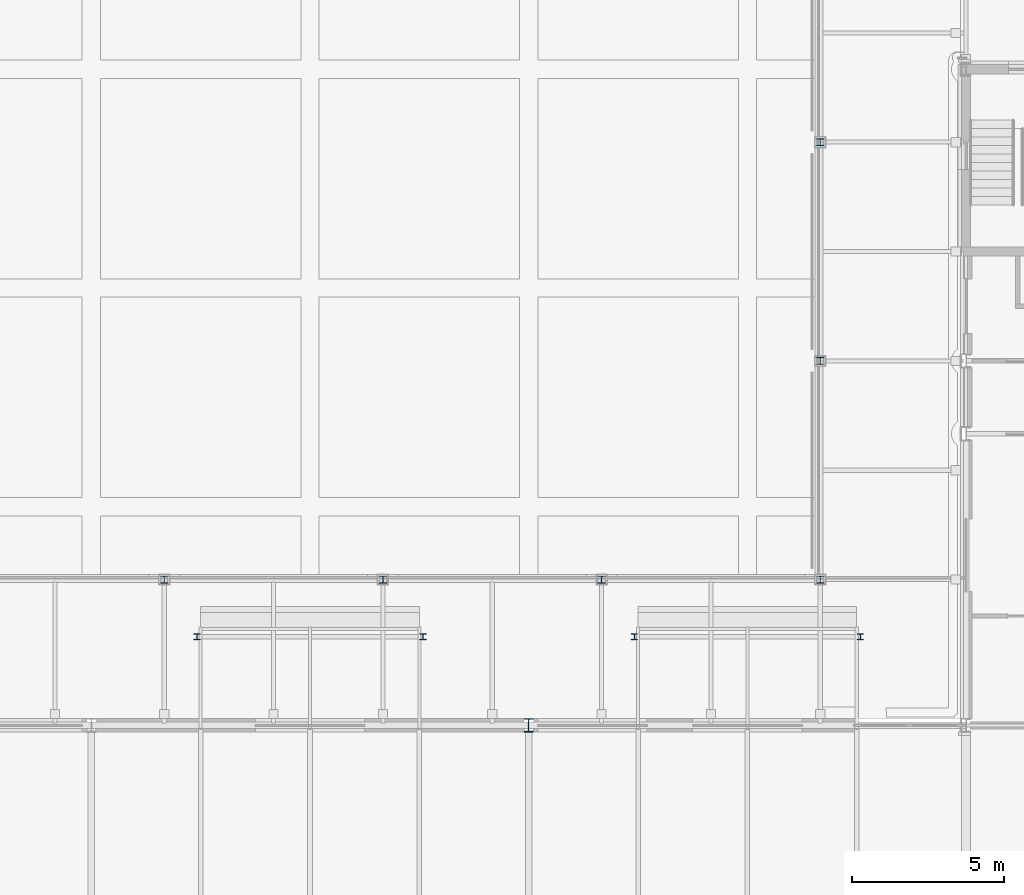
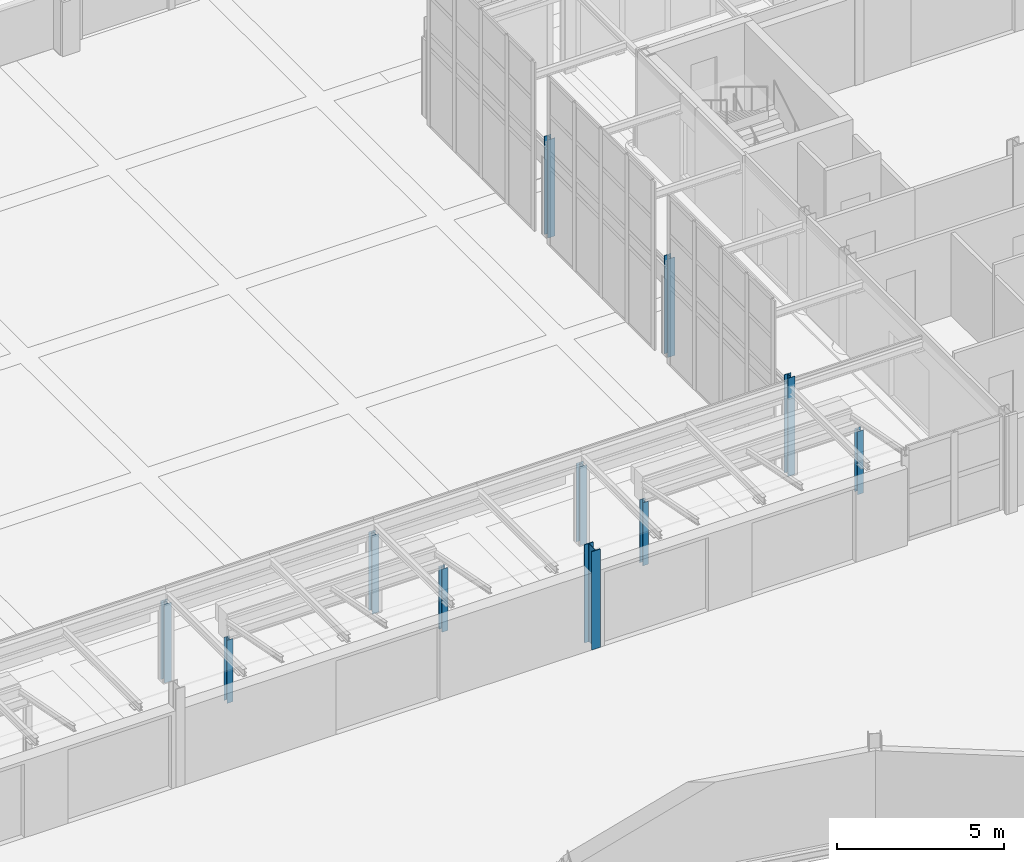
# One storey, part 10 of 143: 11 columns.
"""IFC4 building model written with IfcOpenShell, lengths in metres."""

from ifc_helpers import new_model, si_unit, direction, frame, origin, origin_2d, place, context, subcontext, project, spatial, i_section, extrude, material, material_profile, profile_set, type_object, element, save


model = new_model("IFC4")

# Units and contexts
model_context = context("Model", 3, precision=1e-05, world=origin(), true_north=direction((0.0, 1.0)))
body_context = subcontext(model_context, "Body", "Model", "MODEL_VIEW")
ifc_project = project(units=[si_unit("LENGTHUNIT", "METRE"), si_unit("AREAUNIT", "SQUARE_METRE"), si_unit("VOLUMEUNIT", "CUBIC_METRE"), si_unit("PLANEANGLEUNIT", "RADIAN"), si_unit("MASSUNIT", "GRAM", prefix="KILO")], contexts=[model_context])

# Site, building, storey
site_placement = place(None, origin())
site = spatial("IfcSite", under=ifc_project, at=site_placement, CompositionType="ELEMENT")
building_placement = place(site_placement, origin())
building = spatial("IfcBuilding", under=site, at=building_placement, Name="Kupolbacken Congress Centre", CompositionType="ELEMENT")
storey_placement = place(building_placement, frame((0.0, 0.0, 7.199951171875)))
storey = spatial("IfcBuildingStorey", under=building, at=storey_placement, Name="L02", CompositionType="ELEMENT", Elevation=7.199951171875)

# Columns
ifc_material_1 = material(Name="Steel S355", Category="steel")
ifc_material_profile_1 = material_profile(ifc_material_1, i_section(OverallWidth=0.300048828125, OverallDepth=0.449951171875, WebThickness=0.013916015625, FlangeThickness=0.02587890625, FilletRadius=0.027099609375, at=origin_2d()), Name="HEB 450")
ifc_profile_set_1 = profile_set([ifc_material_profile_1], Name="Steel S355")
column_type_1 = type_object("IfcColumnType", Name="C03 column HEB 450", PredefinedType="COLUMN", material=ifc_profile_set_1)
column_placement = place(storey_placement, frame((50.39990234375, 122.39990234375, 0.0), z_axis=(0.0, 0.0, 1.0), x_axis=(1.0, 0.0, 0.0)))
element("IfcColumn", 1, at=column_placement, inside=storey, type_object=column_type_1, Name="S/col/C-P-8T/L02", PredefinedType="COLUMN", context=body_context, shape_type="SweptSolid", body=[
    extrude(i_section(OverallWidth=0.300048828125, OverallDepth=0.449951171875, WebThickness=0.013916015625, FlangeThickness=0.02587890625, FilletRadius=0.027099609375, at=origin_2d()), origin(), (0.0, 0.0, 1.0), 3.60009765625),
])
ifc_material_2 = material(Name="Steel S355", Category="steel")
ifc_material_profile_2 = material_profile(ifc_material_2, i_section(OverallWidth=0.239990234375, OverallDepth=0.22998046875, WebThickness=0.007568359375, FlangeThickness=0.011962890625, FilletRadius=0.02099609375, at=origin_2d()), Name="HEA 240")
ifc_profile_set_2 = profile_set([ifc_material_profile_2], Name="Steel S355")
column_type_2 = type_object("IfcColumnType", Name="C10 column HEA 240", PredefinedType="COLUMN", material=ifc_profile_set_2)
for number, where, z_axis, x_axis, name in (
    (2, (38.39990234375, 127.199951171875, 0.0), (0.0, 0.0, 1.0), (1.0, 0.0, 0.0), "E/T/portico/P/col38.4/L02"),
    (3, (45.60009765625, 127.199951171875, 0.0), (0.0, 0.0, 1.0), (1.0, 0.0, 0.0), "E/T/portico/P/col45.6/L02"),
    (4, (52.800048828125, 127.199951171875, 0.0), (0.0, 0.0, 1.0), (1.0, 0.0, 0.0), "E/T/portico/P/col52.8/L02"),
):
    element("IfcColumn", number, at=place(storey_placement, frame(where, z_axis=z_axis, x_axis=x_axis)), inside=storey, type_object=column_type_2, Name=name, PredefinedType="COLUMN", context=body_context, shape_type="SweptSolid", body=[
        extrude(i_section(OverallWidth=0.239990234375, OverallDepth=0.22998046875, WebThickness=0.007568359375, FlangeThickness=0.011962890625, FilletRadius=0.02099609375, at=origin_2d()), origin(), (0.0, 0.0, 1.0), 2.880126953125),
    ])
for number, where, z_axis, x_axis, name in (
    (5, (60.0, 127.199951171875, 0.0), (0.0, 0.0, 1.0), (1.0, 0.0, 0.0), "E/T/portico/P/col60/L02"),
    (6, (60.0, 134.39990234375, 0.0), (0.0, 0.0, 1.0), (1.0, 0.0, 0.0), "E/T/portico/W/col134.4/L02"),
    (7, (60.0, 141.60009765625, 0.0), (0.0, 0.0, 1.0), (1.0, 0.0, 0.0), "E/T/portico/W/col141.6/L02"),
):
    element("IfcColumn", number, at=place(storey_placement, frame(where, z_axis=z_axis, x_axis=x_axis)), inside=storey, type_object=column_type_2, Name=name, PredefinedType="COLUMN", context=body_context, shape_type="SweptSolid", body=[
        extrude(i_section(OverallWidth=0.239990234375, OverallDepth=0.22998046875, WebThickness=0.007568359375, FlangeThickness=0.011962890625, FilletRadius=0.02099609375, at=origin_2d()), origin(), (0.0, 0.0, 1.0), 3.60009765625),
    ])
ifc_material_3 = material(Name="Steel S355", Category="steel")
ifc_material_profile_3 = material_profile(ifc_material_3, i_section(OverallWidth=0.199951171875, OverallDepth=0.199951171875, WebThickness=0.009033203125, FlangeThickness=0.014892578125, FilletRadius=0.01806640625, at=origin_2d()), Name="HEB 200")
ifc_profile_set_3 = profile_set([ifc_material_profile_3], Name="Steel S355")
column_type_3 = type_object("IfcColumnType", Name="C11 column HEB 200", PredefinedType="COLUMN", material=ifc_profile_set_3)
for number, where, z_axis, x_axis, name in (
    (8, (46.919921875, 125.320068359375, 0.0), (0.0, 0.0, 1.0), (1.0, 0.0, 0.0), "E/canopy/HEN2/col1/L02"),
    (9, (39.47998046875, 125.320068359375, 0.0), (0.0, 0.0, 1.0), (1.0, 0.0, 0.0), "E/canopy/HEN2/col2/L02"),
    (10, (61.320068359375, 125.320068359375, 0.0), (0.0, 0.0, 1.0), (1.0, 0.0, 0.0), "E/canopy/HEN3/col1/L02"),
    (11, (53.8798828125, 125.320068359375, 0.0), (0.0, 0.0, 1.0), (1.0, 0.0, 0.0), "E/canopy/HEN3/col2/L02"),
):
    element("IfcColumn", number, at=place(storey_placement, frame(where, z_axis=z_axis, x_axis=x_axis)), inside=storey, type_object=column_type_3, Name=name, PredefinedType="COLUMN", context=body_context, shape_type="SweptSolid", body=[
        extrude(i_section(OverallWidth=0.199951171875, OverallDepth=0.199951171875, WebThickness=0.009033203125, FlangeThickness=0.014892578125, FilletRadius=0.01806640625, at=origin_2d()), origin(), (0.0, 0.0, 1.0), 2.30810546875),
    ])

save(model, "model.ifc")
